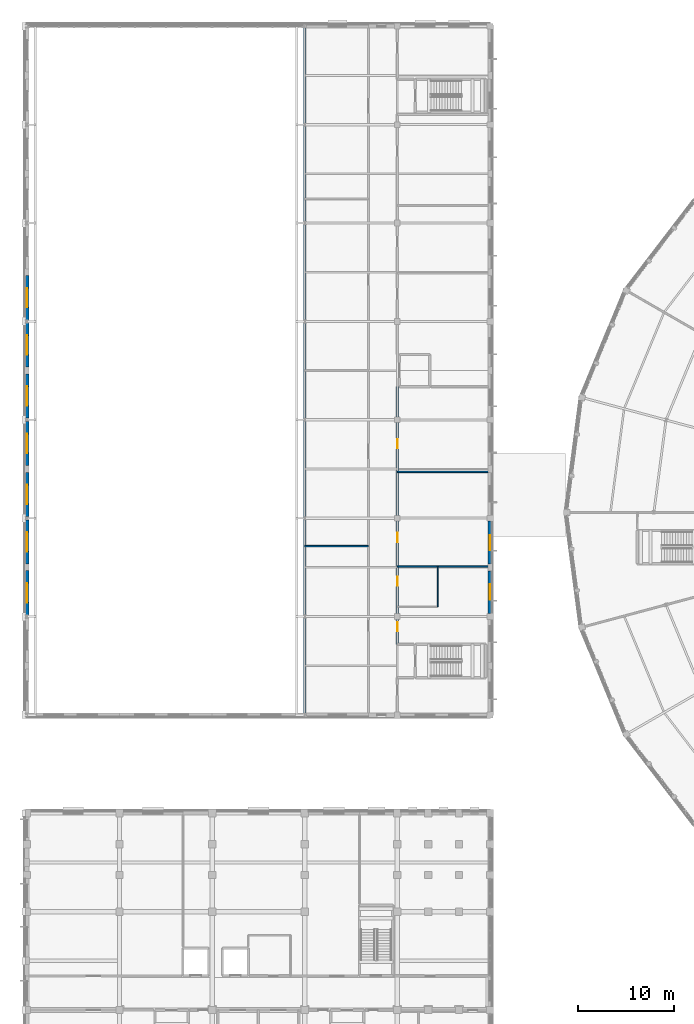
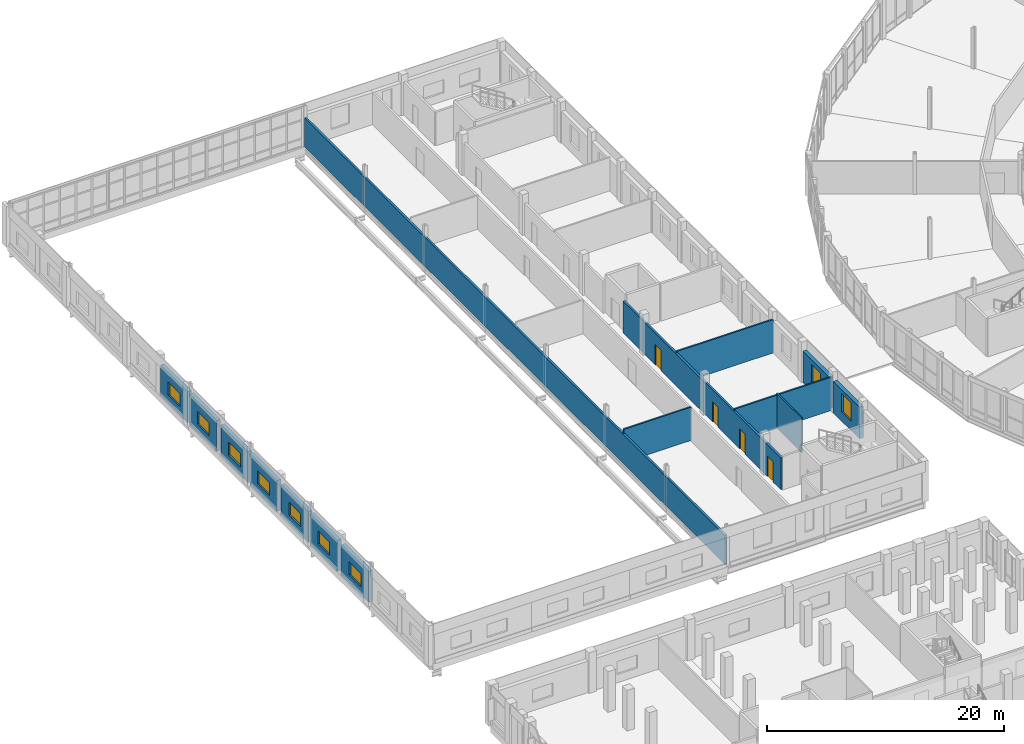
# One storey, part 141 of 170: 15 walls, 9 windows, 4 doors, 13 openings.
"""IFC4 building model written with IfcOpenShell, lengths in metres."""

from ifc_helpers import new_model, si_unit, direction, frame, frame_2d, origin, place, context, subcontext, project, spatial, rectangle, extrude, material, layer, layer_set, type_object, element, fill, save


model = new_model("IFC4")

# Units and contexts
model_context = context("Model", 3, precision=1e-05, world=origin(), true_north=direction((0.0, 1.0)))
body_context = subcontext(model_context, "Body", "Model", "MODEL_VIEW")
ifc_project = project(units=[si_unit("LENGTHUNIT", "METRE"), si_unit("AREAUNIT", "SQUARE_METRE"), si_unit("VOLUMEUNIT", "CUBIC_METRE"), si_unit("PLANEANGLEUNIT", "RADIAN"), si_unit("MASSUNIT", "GRAM", prefix="KILO")], contexts=[model_context])

# Site, building, storey
site_placement = place(None, origin())
site = spatial("IfcSite", under=ifc_project, at=site_placement, CompositionType="ELEMENT")
building_placement = place(site_placement, origin())
building = spatial("IfcBuilding", under=site, at=building_placement, Name="Vondelvale Polytechnic", CompositionType="ELEMENT")
storey_placement = place(building_placement, frame((0.0, 0.0, 5.39990234375)))
storey = spatial("IfcBuildingStorey", under=building, at=storey_placement, Name="L01", CompositionType="ELEMENT", Elevation=5.39990234375)

# Wall, opening, window
ifc_material_1 = material(Name="Amsterdam School iron-spot clinker clay brickwork", Category="masonry")
ifc_layer_1 = layer(ifc_material_1, 0.3798828125)
ifc_layer_set_1 = layer_set([ifc_layer_1], Name="WL-BRICK-380")
wall_type_1 = type_object("IfcWallType", Name="WL-BRICK-380", PredefinedType="SOLIDWALL", material=ifc_layer_set_1)
wall_1_placement = place(storey_placement, frame((0.0, 61.364501953125, 0.0), z_axis=(0.0, 0.0, 1.0), x_axis=(0.0, 1.0, 0.0)))
wall_1 = element("IfcWall", 1, at=wall_1_placement, inside=storey, type_object=wall_type_1, Name="L01 exterior masonry facade wall", PredefinedType="SOLIDWALL", context=body_context, shape_type="SweptSolid", body=[
    extrude(rectangle(XDim=4.58447265625, YDim=0.3798828125, at=frame_2d((2.292236328125, 0.0))), origin(), (0.0, 0.0, 1.0), 3.2001953125),
])
opening_1_placement = place(wall_1_placement, frame((1.292236328125, 0.0, 0.85009765625)))
opening_1 = element("IfcOpeningElement", 2, at=opening_1_placement, cuts=wall_1, Name="Opening WN-0041", PredefinedType="OPENING", context=body_context, shape_type="SweptSolid", body=[
    extrude(rectangle(XDim=2.0, YDim=1.35009765625, at=frame_2d((1.0, 0.675048828125))), frame((0.0, 0.199951171875, 0.0), z_axis=(0.0, -1.0, 0.0), x_axis=(1.0, 0.0, 0.0)), (0.0, 0.0, 1.0), 0.39990234375),
])
ifc_material_2 = material(Name="Double-glazed low-E insulated architectural glass", Category="glass")
window_type_1 = type_object("IfcWindowType", Name="WN-RIB-2000x1350", PartitioningType="SINGLE_PANEL", PredefinedType="WINDOW", material=ifc_material_2)
window_1_placement = place(opening_1_placement, origin())
window_1 = element("IfcWindow", 3, at=window_1_placement, inside=storey, type_object=window_type_1, Name="L01 double-glazed architectural window WN-0041", OverallHeight=1.35009765625, OverallWidth=2.0, PartitioningType="SINGLE_PANEL", PredefinedType="WINDOW", context=body_context, shape_type="SweptSolid", body=[
    extrude(rectangle(XDim=2.0, YDim=1.35009765625, at=frame_2d((1.0, 0.675048828125))), frame((0.0, 0.030029296875, 0.0), z_axis=(0.0, -1.0, 0.0), x_axis=(1.0, 0.0, 0.0)), (0.0, 0.0, 1.0), 0.06005859375),
])
fill(opening_1, window_1)

wall_2_placement = place(storey_placement, frame((0.0, 66.65087890625, 0.0), z_axis=(0.0, 0.0, 1.0), x_axis=(0.0, 1.0, 0.0)))
wall_2 = element("IfcWall", 4, at=wall_2_placement, inside=storey, type_object=wall_type_1, Name="L01 exterior masonry facade wall", PredefinedType="SOLIDWALL", context=body_context, shape_type="SweptSolid", body=[
    extrude(rectangle(XDim=4.584716796875, YDim=0.3798828125, at=frame_2d((2.29248046875, 0.0))), origin(), (0.0, 0.0, 1.0), 3.2001953125),
])
opening_2_placement = place(wall_2_placement, frame((1.292236328125, 0.0, 0.85009765625)))
opening_2 = element("IfcOpeningElement", 5, at=opening_2_placement, cuts=wall_2, Name="Opening WN-0042", PredefinedType="OPENING", context=body_context, shape_type="SweptSolid", body=[
    extrude(rectangle(XDim=2.0, YDim=1.35009765625, at=frame_2d((1.0, 0.675048828125))), frame((0.0, 0.199951171875, 0.0), z_axis=(0.0, -1.0, 0.0), x_axis=(1.0, 0.0, 0.0)), (0.0, 0.0, 1.0), 0.39990234375),
])
window_2_placement = place(opening_2_placement, origin())
window_2 = element("IfcWindow", 6, at=window_2_placement, inside=storey, type_object=window_type_1, Name="L01 double-glazed architectural window WN-0042", OverallHeight=1.35009765625, OverallWidth=2.0, PartitioningType="SINGLE_PANEL", PredefinedType="WINDOW", context=body_context, shape_type="SweptSolid", body=[
    extrude(rectangle(XDim=2.0, YDim=1.35009765625, at=frame_2d((1.0, 0.675048828125))), frame((0.0, 0.030029296875, 0.0), z_axis=(0.0, -1.0, 0.0), x_axis=(1.0, 0.0, 0.0)), (0.0, 0.0, 1.0), 0.06005859375),
])
fill(opening_2, window_2)

wall_3_placement = place(storey_placement, frame((0.0, 71.564453125, 0.0), z_axis=(0.0, 0.0, 1.0), x_axis=(0.0, 1.0, 0.0)))
wall_3 = element("IfcWall", 7, at=wall_3_placement, inside=storey, type_object=wall_type_1, Name="L01 exterior masonry facade wall", PredefinedType="SOLIDWALL", context=body_context, shape_type="SweptSolid", body=[
    extrude(rectangle(XDim=4.58447265625, YDim=0.3798828125, at=frame_2d((2.292236328125, 0.0))), origin(), (0.0, 0.0, 1.0), 3.2001953125),
])
opening_3_placement = place(wall_3_placement, frame((1.292236328125, 0.0, 0.85009765625)))
opening_3 = element("IfcOpeningElement", 8, at=opening_3_placement, cuts=wall_3, Name="Opening WN-0043", PredefinedType="OPENING", context=body_context, shape_type="SweptSolid", body=[
    extrude(rectangle(XDim=2.0, YDim=1.35009765625, at=frame_2d((1.0, 0.675048828125))), frame((0.0, 0.199951171875, 0.0), z_axis=(0.0, -1.0, 0.0), x_axis=(1.0, 0.0, 0.0)), (0.0, 0.0, 1.0), 0.39990234375),
])
window_3_placement = place(opening_3_placement, origin())
window_3 = element("IfcWindow", 9, at=window_3_placement, inside=storey, type_object=window_type_1, Name="L01 double-glazed architectural window WN-0043", OverallHeight=1.35009765625, OverallWidth=2.0, PartitioningType="SINGLE_PANEL", PredefinedType="WINDOW", context=body_context, shape_type="SweptSolid", body=[
    extrude(rectangle(XDim=2.0, YDim=1.35009765625, at=frame_2d((1.0, 0.675048828125))), frame((0.0, 0.030029296875, 0.0), z_axis=(0.0, -1.0, 0.0), x_axis=(1.0, 0.0, 0.0)), (0.0, 0.0, 1.0), 0.06005859375),
])
fill(opening_3, window_3)

wall_4_placement = place(storey_placement, frame((0.0, 76.85107421875, 0.0), z_axis=(0.0, 0.0, 1.0), x_axis=(0.0, 1.0, 0.0)))
wall_4 = element("IfcWall", 10, at=wall_4_placement, inside=storey, type_object=wall_type_1, Name="L01 exterior masonry facade wall", PredefinedType="SOLIDWALL", context=body_context, shape_type="SweptSolid", body=[
    extrude(rectangle(XDim=4.58447265625, YDim=0.3798828125, at=frame_2d((2.292236328125, 0.0))), origin(), (0.0, 0.0, 1.0), 3.2001953125),
])
opening_4_placement = place(wall_4_placement, frame((1.292236328125, 0.0, 0.85009765625)))
opening_4 = element("IfcOpeningElement", 11, at=opening_4_placement, cuts=wall_4, Name="Opening WN-0044", PredefinedType="OPENING", context=body_context, shape_type="SweptSolid", body=[
    extrude(rectangle(XDim=2.0, YDim=1.35009765625, at=frame_2d((1.0, 0.675048828125))), frame((0.0, 0.199951171875, 0.0), z_axis=(0.0, -1.0, 0.0), x_axis=(1.0, 0.0, 0.0)), (0.0, 0.0, 1.0), 0.39990234375),
])
window_4_placement = place(opening_4_placement, origin())
window_4 = element("IfcWindow", 12, at=window_4_placement, inside=storey, type_object=window_type_1, Name="L01 double-glazed architectural window WN-0044", OverallHeight=1.35009765625, OverallWidth=2.0, PartitioningType="SINGLE_PANEL", PredefinedType="WINDOW", context=body_context, shape_type="SweptSolid", body=[
    extrude(rectangle(XDim=2.0, YDim=1.35009765625, at=frame_2d((1.0, 0.675048828125))), frame((0.0, 0.030029296875, 0.0), z_axis=(0.0, -1.0, 0.0), x_axis=(1.0, 0.0, 0.0)), (0.0, 0.0, 1.0), 0.06005859375),
])
fill(opening_4, window_4)

wall_5_placement = place(storey_placement, frame((0.0, 81.764404296875, 0.0), z_axis=(0.0, 0.0, 1.0), x_axis=(0.0, 1.0, 0.0)))
wall_5 = element("IfcWall", 13, at=wall_5_placement, inside=storey, type_object=wall_type_1, Name="L01 exterior masonry facade wall", PredefinedType="SOLIDWALL", context=body_context, shape_type="SweptSolid", body=[
    extrude(rectangle(XDim=4.584716796875, YDim=0.3798828125, at=frame_2d((2.29248046875, 0.0))), origin(), (0.0, 0.0, 1.0), 3.2001953125),
])
opening_5_placement = place(wall_5_placement, frame((1.292236328125, 0.0, 0.85009765625)))
opening_5 = element("IfcOpeningElement", 14, at=opening_5_placement, cuts=wall_5, Name="Opening WN-0045", PredefinedType="OPENING", context=body_context, shape_type="SweptSolid", body=[
    extrude(rectangle(XDim=2.0, YDim=1.35009765625, at=frame_2d((1.0, 0.675048828125))), frame((0.0, 0.199951171875, 0.0), z_axis=(0.0, -1.0, 0.0), x_axis=(1.0, 0.0, 0.0)), (0.0, 0.0, 1.0), 0.39990234375),
])
window_5_placement = place(opening_5_placement, origin())
window_5 = element("IfcWindow", 15, at=window_5_placement, inside=storey, type_object=window_type_1, Name="L01 double-glazed architectural window WN-0045", OverallHeight=1.35009765625, OverallWidth=2.0, PartitioningType="SINGLE_PANEL", PredefinedType="WINDOW", context=body_context, shape_type="SweptSolid", body=[
    extrude(rectangle(XDim=2.0, YDim=1.35009765625, at=frame_2d((1.0, 0.675048828125))), frame((0.0, 0.030029296875, 0.0), z_axis=(0.0, -1.0, 0.0), x_axis=(1.0, 0.0, 0.0)), (0.0, 0.0, 1.0), 0.06005859375),
])
fill(opening_5, window_5)

wall_6_placement = place(storey_placement, frame((0.0, 87.051025390625, 0.0), z_axis=(0.0, 0.0, 1.0), x_axis=(0.0, 1.0, 0.0)))
wall_6 = element("IfcWall", 16, at=wall_6_placement, inside=storey, type_object=wall_type_1, Name="L01 exterior masonry facade wall", PredefinedType="SOLIDWALL", context=body_context, shape_type="SweptSolid", body=[
    extrude(rectangle(XDim=4.58447265625, YDim=0.3798828125, at=frame_2d((2.292236328125, 0.0))), origin(), (0.0, 0.0, 1.0), 3.2001953125),
])
opening_6_placement = place(wall_6_placement, frame((1.292236328125, 0.0, 0.85009765625)))
opening_6 = element("IfcOpeningElement", 17, at=opening_6_placement, cuts=wall_6, Name="Opening WN-0046", PredefinedType="OPENING", context=body_context, shape_type="SweptSolid", body=[
    extrude(rectangle(XDim=2.0, YDim=1.35009765625, at=frame_2d((1.0, 0.675048828125))), frame((0.0, 0.199951171875, 0.0), z_axis=(0.0, -1.0, 0.0), x_axis=(1.0, 0.0, 0.0)), (0.0, 0.0, 1.0), 0.39990234375),
])
window_6_placement = place(opening_6_placement, origin())
window_6 = element("IfcWindow", 18, at=window_6_placement, inside=storey, type_object=window_type_1, Name="L01 double-glazed architectural window WN-0046", OverallHeight=1.35009765625, OverallWidth=2.0, PartitioningType="SINGLE_PANEL", PredefinedType="WINDOW", context=body_context, shape_type="SweptSolid", body=[
    extrude(rectangle(XDim=2.0, YDim=1.35009765625, at=frame_2d((1.0, 0.675048828125))), frame((0.0, 0.030029296875, 0.0), z_axis=(0.0, -1.0, 0.0), x_axis=(1.0, 0.0, 0.0)), (0.0, 0.0, 1.0), 0.06005859375),
])
fill(opening_6, window_6)

wall_7_placement = place(storey_placement, frame((0.0, 91.964599609375, 0.0), z_axis=(0.0, 0.0, 1.0), x_axis=(0.0, 1.0, 0.0)))
wall_7 = element("IfcWall", 19, at=wall_7_placement, inside=storey, type_object=wall_type_1, Name="L01 exterior masonry facade wall", PredefinedType="SOLIDWALL", context=body_context, shape_type="SweptSolid", body=[
    extrude(rectangle(XDim=4.58447265625, YDim=0.3798828125, at=frame_2d((2.292236328125, 0.0))), origin(), (0.0, 0.0, 1.0), 3.2001953125),
])
opening_7_placement = place(wall_7_placement, frame((1.292236328125, 0.0, 0.85009765625)))
opening_7 = element("IfcOpeningElement", 20, at=opening_7_placement, cuts=wall_7, Name="Opening WN-0047", PredefinedType="OPENING", context=body_context, shape_type="SweptSolid", body=[
    extrude(rectangle(XDim=2.0, YDim=1.35009765625, at=frame_2d((1.0, 0.675048828125))), frame((0.0, 0.199951171875, 0.0), z_axis=(0.0, -1.0, 0.0), x_axis=(1.0, 0.0, 0.0)), (0.0, 0.0, 1.0), 0.39990234375),
])
window_7_placement = place(opening_7_placement, origin())
window_7 = element("IfcWindow", 21, at=window_7_placement, inside=storey, type_object=window_type_1, Name="L01 double-glazed architectural window WN-0047", OverallHeight=1.35009765625, OverallWidth=2.0, PartitioningType="SINGLE_PANEL", PredefinedType="WINDOW", context=body_context, shape_type="SweptSolid", body=[
    extrude(rectangle(XDim=2.0, YDim=1.35009765625, at=frame_2d((1.0, 0.675048828125))), frame((0.0, 0.030029296875, 0.0), z_axis=(0.0, -1.0, 0.0), x_axis=(1.0, 0.0, 0.0)), (0.0, 0.0, 1.0), 0.06005859375),
])
fill(opening_7, window_7)

wall_8_placement = place(storey_placement, frame((48.0, 65.948974609375, 0.0), z_axis=(0.0, 0.0, 1.0), x_axis=(0.0, -1.0, 0.0)))
wall_8 = element("IfcWall", 22, at=wall_8_placement, inside=storey, type_object=wall_type_1, Name="L01 exterior masonry facade wall", PredefinedType="SOLIDWALL", context=body_context, shape_type="SweptSolid", body=[
    extrude(rectangle(XDim=4.447998046875, YDim=0.3798828125, at=frame_2d((2.22412109375, 0.0))), origin(), (0.0, 0.0, 1.0), 3.25),
])
opening_8_placement = place(wall_8_placement, frame((1.424072265625, 0.0, 0.949951171875)))
opening_8 = element("IfcOpeningElement", 23, at=opening_8_placement, cuts=wall_8, Name="Opening WN-0055", PredefinedType="OPENING", context=body_context, shape_type="SweptSolid", body=[
    extrude(rectangle(XDim=1.60009765625, YDim=1.89990234375, at=frame_2d((0.800048828125, 0.949951171875))), frame((0.0, 0.199951171875, 0.0), z_axis=(0.0, -1.0, 0.0), x_axis=(1.0, 0.0, 0.0)), (0.0, 0.0, 1.0), 0.39990234375),
])
window_type_2 = type_object("IfcWindowType", Name="WN-SEM-1600x1900", PartitioningType="SINGLE_PANEL", PredefinedType="WINDOW", material=ifc_material_2)
window_8_placement = place(opening_8_placement, origin())
window_8 = element("IfcWindow", 24, at=window_8_placement, inside=storey, type_object=window_type_2, Name="L01 double-glazed architectural window WN-0055", OverallHeight=1.89990234375, OverallWidth=1.60009765625, PartitioningType="SINGLE_PANEL", PredefinedType="WINDOW", context=body_context, shape_type="SweptSolid", body=[
    extrude(rectangle(XDim=1.60009765625, YDim=1.89990234375, at=frame_2d((0.800048828125, 0.949951171875))), frame((0.0, 0.030029296875, 0.0), z_axis=(0.0, -1.0, 0.0), x_axis=(1.0, 0.0, 0.0)), (0.0, 0.0, 1.0), 0.06005859375),
])
fill(opening_8, window_8)

wall_9_placement = place(storey_placement, frame((48.0, 71.09912109375, 0.0), z_axis=(0.0, 0.0, 1.0), x_axis=(0.0, -1.0, 0.0)))
wall_9 = element("IfcWall", 25, at=wall_9_placement, inside=storey, type_object=wall_type_1, Name="L01 exterior masonry facade wall", PredefinedType="SOLIDWALL", context=body_context, shape_type="SweptSolid", body=[
    extrude(rectangle(XDim=4.4482421875, YDim=0.3798828125, at=frame_2d((2.22412109375, 0.0))), origin(), (0.0, 0.0, 1.0), 3.25),
])
opening_9_placement = place(wall_9_placement, frame((1.448974609375, 0.0, 0.949951171875)))
opening_9 = element("IfcOpeningElement", 26, at=opening_9_placement, cuts=wall_9, Name="Opening WN-0056", PredefinedType="OPENING", context=body_context, shape_type="SweptSolid", body=[
    extrude(rectangle(XDim=1.550048828125, YDim=1.85009765625, at=frame_2d((0.77490234375, 0.925048828125))), frame((0.0, 0.199951171875, 0.0), z_axis=(0.0, -1.0, 0.0), x_axis=(1.0, 0.0, 0.0)), (0.0, 0.0, 1.0), 0.39990234375),
])
window_type_3 = type_object("IfcWindowType", Name="WN-SEM-1550x1850", PartitioningType="SINGLE_PANEL", PredefinedType="WINDOW", material=ifc_material_2)
window_9_placement = place(opening_9_placement, origin())
window_9 = element("IfcWindow", 27, at=window_9_placement, inside=storey, type_object=window_type_3, Name="L01 double-glazed architectural window WN-0056", OverallHeight=1.85009765625, OverallWidth=1.550048828125, PartitioningType="SINGLE_PANEL", PredefinedType="WINDOW", context=body_context, shape_type="SweptSolid", body=[
    extrude(rectangle(XDim=1.550048828125, YDim=1.85009765625, at=frame_2d((0.77490234375, 0.925048828125))), frame((0.0, 0.030029296875, 0.0), z_axis=(0.0, -1.0, 0.0), x_axis=(1.0, 0.0, 0.0)), (0.0, 0.0, 1.0), 0.06005859375),
])
fill(opening_9, window_9)

# Wall
ifc_material_3 = material(Name="Fire-rated double-layer plasterboard stud partition")
ifc_layer_2 = layer(ifc_material_3, 0.199951171875)
ifc_layer_set_2 = layer_set([ifc_layer_2], Name="WL-CORR-200")
wall_type_2 = type_object("IfcWallType", Name="WL-CORR-200", PredefinedType="PARTITIONING", material=ifc_layer_set_2)
wall_10_placement = place(storey_placement, frame((28.800048828125, 51.14990234375, 0.0), z_axis=(0.0, 0.0, 1.0), x_axis=(0.0, 1.0, 0.0)))
element("IfcWall", 28, at=wall_10_placement, inside=storey, type_object=wall_type_2, Name="L01 interior acoustic partition", PredefinedType="PARTITIONING", context=body_context, shape_type="SweptSolid", body=[
    extrude(rectangle(XDim=71.10009765625, YDim=0.199951171875, at=frame_2d((35.550048828125, 0.0))), origin(), (0.0, 0.0, 1.0), 3.0),
])

# Wall, openings, doors
wall_11_placement = place(storey_placement, frame((38.39990234375, 58.324951171875, 0.0), z_axis=(0.0, 0.0, 1.0), x_axis=(0.0, 1.0, 0.0)))
wall_11 = element("IfcWall", 29, at=wall_11_placement, inside=storey, type_object=wall_type_2, Name="L01 interior acoustic partition", PredefinedType="PARTITIONING", context=body_context, shape_type="SweptSolid", body=[
    extrude(rectangle(XDim=26.699951171875, YDim=0.199951171875, at=frame_2d((13.35009765625, 0.0))), origin(), (0.0, 0.0, 1.0), 3.298095703125),
])
opening_10_placement = place(wall_11_placement, frame((1.35009765625, 0.0, 0.0)))
opening_10 = element("IfcOpeningElement", 30, at=opening_10_placement, cuts=wall_11, Name="Opening ID-0109", PredefinedType="OPENING", context=body_context, shape_type="SweptSolid", body=[
    extrude(rectangle(XDim=0.949951171875, YDim=2.10009765625, at=frame_2d((0.47509765625, 1.050048828125))), frame((0.0, 0.10986328125, 0.0), z_axis=(0.0, -1.0, 0.0), x_axis=(1.0, 0.0, 0.0)), (0.0, 0.0, 1.0), 0.219970703125),
])
opening_11_placement = place(wall_11_placement, frame((6.080078125, 0.0, 0.0)))
opening_11 = element("IfcOpeningElement", 31, at=opening_11_placement, cuts=wall_11, Name="Opening ID-0110", PredefinedType="OPENING", context=body_context, shape_type="SweptSolid", body=[
    extrude(rectangle(XDim=0.89990234375, YDim=2.050048828125, at=frame_2d((0.449951171875, 1.02490234375))), frame((0.0, 0.10986328125, 0.0), z_axis=(0.0, -1.0, 0.0), x_axis=(1.0, 0.0, 0.0)), (0.0, 0.0, 1.0), 0.219970703125),
])
opening_12_placement = place(wall_11_placement, frame((10.60009765625, 0.0, 0.0)))
opening_12 = element("IfcOpeningElement", 32, at=opening_12_placement, cuts=wall_11, Name="Opening ID-0111", PredefinedType="OPENING", context=body_context, shape_type="SweptSolid", body=[
    extrude(rectangle(XDim=0.949951171875, YDim=2.10009765625, at=frame_2d((0.47509765625, 1.050048828125))), frame((0.0, 0.10986328125, 0.0), z_axis=(0.0, -1.0, 0.0), x_axis=(1.0, 0.0, 0.0)), (0.0, 0.0, 1.0), 0.219970703125),
])
opening_13_placement = place(wall_11_placement, frame((20.300048828125, 0.0, 0.0)))
opening_13 = element("IfcOpeningElement", 33, at=opening_13_placement, cuts=wall_11, Name="Opening ID-0112", PredefinedType="OPENING", context=body_context, shape_type="SweptSolid", body=[
    extrude(rectangle(XDim=0.949951171875, YDim=2.10009765625, at=frame_2d((0.47509765625, 1.050048828125))), frame((0.0, 0.10986328125, 0.0), z_axis=(0.0, -1.0, 0.0), x_axis=(1.0, 0.0, 0.0)), (0.0, 0.0, 1.0), 0.219970703125),
])
ifc_material_4 = material(Name="Fire-rated solid Tasmanian oak joinery")
door_type_1 = type_object("IfcDoorType", Name="DR-INT-0950x2100", OperationType="SINGLE_SWING_LEFT", PredefinedType="DOOR", material=ifc_material_4)
door_1_placement = place(opening_10_placement, origin())
door_1 = element("IfcDoor", 34, at=door_1_placement, inside=storey, type_object=door_type_1, Name="L01 interior room door ID-0109", OperationType="SINGLE_SWING_LEFT", OverallHeight=2.10009765625, OverallWidth=0.949951171875, PredefinedType="DOOR", context=body_context, shape_type="SweptSolid", body=[
    extrude(rectangle(XDim=0.949951171875, YDim=2.10009765625, at=frame_2d((0.47509765625, 1.050048828125))), frame((0.0, 0.02490234375, 0.0), z_axis=(0.0, -1.0, 0.0), x_axis=(1.0, 0.0, 0.0)), (0.0, 0.0, 1.0), 0.050048828125),
])
fill(opening_10, door_1)
door_2_placement = place(opening_12_placement, origin())
door_2 = element("IfcDoor", 35, at=door_2_placement, inside=storey, type_object=door_type_1, Name="L01 interior room door ID-0111", OperationType="SINGLE_SWING_LEFT", OverallHeight=2.10009765625, OverallWidth=0.949951171875, PredefinedType="DOOR", context=body_context, shape_type="SweptSolid", body=[
    extrude(rectangle(XDim=0.949951171875, YDim=2.10009765625, at=frame_2d((0.47509765625, 1.050048828125))), frame((0.0, 0.02490234375, 0.0), z_axis=(0.0, -1.0, 0.0), x_axis=(1.0, 0.0, 0.0)), (0.0, 0.0, 1.0), 0.050048828125),
])
fill(opening_12, door_2)
door_3_placement = place(opening_13_placement, origin())
door_3 = element("IfcDoor", 36, at=door_3_placement, inside=storey, type_object=door_type_1, Name="L01 interior room door ID-0112", OperationType="SINGLE_SWING_RIGHT", OverallHeight=2.10009765625, OverallWidth=0.949951171875, PredefinedType="DOOR", context=body_context, shape_type="SweptSolid", body=[
    extrude(rectangle(XDim=0.949951171875, YDim=2.10009765625, at=frame_2d((0.47509765625, 1.050048828125))), frame((0.0, 0.02490234375, 0.0), z_axis=(0.0, -1.0, 0.0), x_axis=(1.0, 0.0, 0.0)), (0.0, 0.0, 1.0), 0.050048828125),
])
fill(opening_13, door_3)
door_type_2 = type_object("IfcDoorType", Name="DR-WC-0900x2050", OperationType="SINGLE_SWING_RIGHT", PredefinedType="DOOR", material=ifc_material_4)
door_4_placement = place(opening_11_placement, origin())
door_4 = element("IfcDoor", 37, at=door_4_placement, inside=storey, type_object=door_type_2, Name="L01 interior room door ID-0110", OperationType="SINGLE_SWING_RIGHT", OverallHeight=2.050048828125, OverallWidth=0.89990234375, PredefinedType="DOOR", context=body_context, shape_type="SweptSolid", body=[
    extrude(rectangle(XDim=0.89990234375, YDim=2.050048828125, at=frame_2d((0.449951171875, 1.02490234375))), frame((0.0, 0.02490234375, 0.0), z_axis=(0.0, -1.0, 0.0), x_axis=(1.0, 0.0, 0.0)), (0.0, 0.0, 1.0), 0.050048828125),
])
fill(opening_11, door_4)

# Walls
ifc_layer_3 = layer(ifc_material_3, 0.1201171875)
ifc_layer_set_3 = layer_set([ifc_layer_3], Name="WL-INT-120")
wall_type_3 = type_object("IfcWallType", Name="WL-INT-120", PredefinedType="PARTITIONING", material=ifc_layer_set_3)
wall_12_placement = place(storey_placement, frame((42.60009765625, 62.199951171875, 0.0), z_axis=(0.0, 0.0, 1.0), x_axis=(0.0, 1.0, 0.0)))
element("IfcWall", 38, at=wall_12_placement, inside=storey, type_object=wall_type_3, Name="L01 interior acoustic partition", PredefinedType="PARTITIONING", context=body_context, shape_type="SweptSolid", body=[
    extrude(rectangle(XDim=4.199951171875, YDim=0.1201171875, at=frame_2d((2.10009765625, 0.0))), origin(), (0.0, 0.0, 1.0), 3.59619140625),
])
ifc_layer_4 = layer(ifc_material_3, 0.14990234375)
ifc_layer_set_4 = layer_set([ifc_layer_4], Name="WL-INT-150")
wall_type_4 = type_object("IfcWallType", Name="WL-INT-150", PredefinedType="PARTITIONING", material=ifc_layer_set_4)
wall_13_placement = place(storey_placement, frame((28.800048828125, 68.5, 0.0), z_axis=(0.0, 0.0, 1.0), x_axis=(1.0, 0.0, 0.0)))
element("IfcWall", 39, at=wall_13_placement, inside=storey, type_object=wall_type_4, Name="L01 interior acoustic partition", PredefinedType="PARTITIONING", context=body_context, shape_type="SweptSolid", body=[
    extrude(rectangle(XDim=6.599853515625, YDim=0.14990234375, at=frame_2d((3.2998046875, 0.0))), origin(), (0.0, 0.0, 1.0), 3.443115234375),
])
for number, where, z_axis, x_axis, name in (
    (40, (38.39990234375, 66.39990234375, 0.0), (0.0, 0.0, 1.0), (1.0, 0.0, 0.0), "L01 interior acoustic partition"),
    (41, (38.39990234375, 76.199951171875, 0.0), (0.0, 0.0, 1.0), (1.0, 0.0, 0.0), "L01 interior acoustic partition"),
):
    element("IfcWall", number, at=place(storey_placement, frame(where, z_axis=z_axis, x_axis=x_axis)), inside=storey, type_object=wall_type_4, Name=name, PredefinedType="PARTITIONING", context=body_context, shape_type="SweptSolid", body=[
        extrude(rectangle(XDim=9.4501953125, YDim=0.14990234375, at=frame_2d((4.72509765625, 0.0))), origin(), (0.0, 0.0, 1.0), 3.443115234375),
    ])

save(model, "model.ifc")
